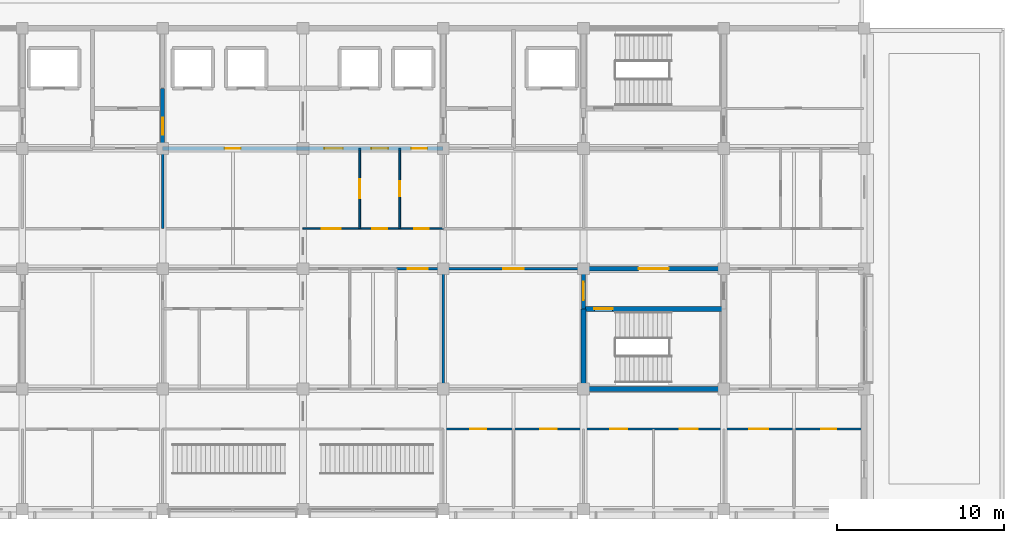
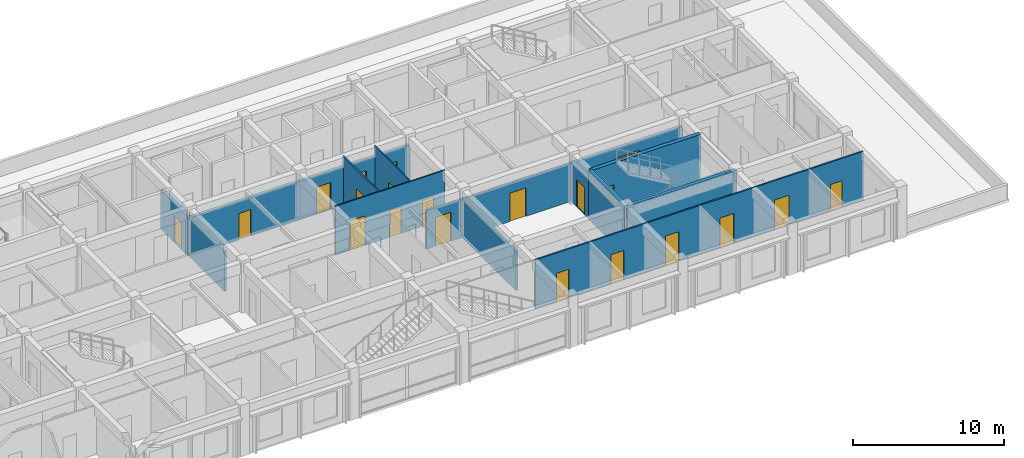
# One storey, part 13 of 19: 21 doors, 14 walls, 21 openings.
"""IFC4 building model written with IfcOpenShell, lengths in metres."""

from ifc_helpers import new_model, si_unit, direction, frame, frame_2d, origin, place, context, subcontext, project, spatial, rectangle, extrude, material, layer, layer_set, type_object, element, fill, save


model = new_model("IFC4")

# Units and contexts
model_context = context("Model", 3, precision=1e-05, world=origin(), true_north=direction((0.0, 1.0)))
body_context = subcontext(model_context, "Body", "Model", "MODEL_VIEW")
ifc_project = project(units=[si_unit("LENGTHUNIT", "METRE"), si_unit("AREAUNIT", "SQUARE_METRE"), si_unit("VOLUMEUNIT", "CUBIC_METRE"), si_unit("PLANEANGLEUNIT", "RADIAN"), si_unit("MASSUNIT", "GRAM", prefix="KILO")], contexts=[model_context])

# Site, building, storey
site_placement = place(None, origin())
site = spatial("IfcSite", under=ifc_project, at=site_placement, CompositionType="ELEMENT")
building_placement = place(site_placement, origin())
building = spatial("IfcBuilding", under=site, at=building_placement, Name="Chengyuan Square Courthouse", CompositionType="ELEMENT")
storey_placement = place(building_placement, frame((0.0, 0.0, 47.699951171875)))
storey = spatial("IfcBuildingStorey", under=building, at=storey_placement, Name="L11", CompositionType="ELEMENT", Elevation=47.699951171875)

# Wall, opening, door
ifc_material_1 = material(Name="Concrete C40", Category="concrete")
ifc_layer_1 = layer(ifc_material_1, 0.25)
ifc_layer_set_1 = layer_set([ifc_layer_1], Name="Concrete C40")
wall_type_1 = type_object("IfcWallType", Name="WL-FW1", PredefinedType="STANDARD", material=ifc_layer_set_1)
wall_1_placement = place(storey_placement, frame((100.800048828125, 93.60009765625, 0.0), z_axis=(0.0, 0.0, 1.0), x_axis=(1.0, 0.0, 0.0)))
wall_1 = element("IfcWall", 1, at=wall_1_placement, inside=storey, type_object=wall_type_1, Name="Interior Wall WL-L11-I3528", PredefinedType="STANDARD", context=body_context, shape_type="SweptSolid", body=[
    extrude(rectangle(XDim=8.39990234375, YDim=0.25, at=frame_2d((4.199951171875, 0.0))), origin(), (0.0, 0.0, 1.0), 3.110107421875),
])
opening_1_placement = place(wall_1_placement, frame((3.300048828125, 0.0, 0.0)))
opening_1 = element("IfcOpeningElement", 2, at=opening_1_placement, cuts=wall_1, Name="Opening DR-2922", PredefinedType="OPENING", context=body_context, shape_type="SweptSolid", body=[
    extrude(rectangle(XDim=1.800048828125, YDim=2.35009765625, at=frame_2d((0.89990234375, 1.175048828125))), frame((0.0, 0.136962890625, 0.0), z_axis=(0.0, -1.0, 0.0), x_axis=(1.0, 0.0, 0.0)), (0.0, 0.0, 1.0), 0.27392578125),
])
ifc_material_2 = material(Name="Steel Q235B Glazed Fire Door", Category="steel")
door_type_1 = type_object("IfcDoorType", Name="DT-18", OperationType="DOUBLE_DOOR_SINGLE_SWING", PredefinedType="DOOR", material=ifc_material_2)
door_1_placement = place(opening_1_placement, frame((1.800048828125, 0.0, 0.0), z_axis=(0.0, 0.0, 1.0), x_axis=(-1.0, 0.0, 0.0)))
door_1 = element("IfcDoor", 3, at=door_1_placement, inside=storey, type_object=door_type_1, Name="Interior Door DR-2922", OperationType="DOUBLE_DOOR_SINGLE_SWING", OverallHeight=2.35009765625, OverallWidth=1.800048828125, PredefinedType="DOOR", context=body_context, shape_type="SweptSolid", body=[
    extrude(rectangle(XDim=1.800048828125, YDim=2.35009765625, at=frame_2d((0.89990234375, 1.175048828125))), frame((0.0, 0.02490234375, 0.0), z_axis=(0.0, -1.0, 0.0), x_axis=(1.0, 0.0, 0.0)), (0.0, 0.0, 1.0), 0.050048828125),
])
fill(opening_1, door_1)

# Wall, openings, doors
wall_2_placement = place(storey_placement, frame((75.60009765625, 100.800048828125, 0.0), z_axis=(0.0, 0.0, 1.0), x_axis=(1.0, 0.0, 0.0)))
wall_2 = element("IfcWall", 4, at=wall_2_placement, inside=storey, type_object=wall_type_1, Name="Interior Wall WL-L11-I3539", PredefinedType="STANDARD", context=body_context, shape_type="SweptSolid", body=[
    extrude(rectangle(XDim=16.7998046875, YDim=0.25, at=frame_2d((8.39990234375, 0.0))), origin(), (0.0, 0.0, 1.0), 3.110107421875),
])
opening_2_placement = place(wall_2_placement, frame((3.72509765625, 0.0, 0.0)))
opening_2 = element("IfcOpeningElement", 5, at=opening_2_placement, cuts=wall_2, Name="Opening DR-2934", PredefinedType="OPENING", context=body_context, shape_type="SweptSolid", body=[
    extrude(rectangle(XDim=0.949951171875, YDim=2.14990234375, at=frame_2d((0.47509765625, 1.074951171875))), frame((0.0, 0.136962890625, 0.0), z_axis=(0.0, -1.0, 0.0), x_axis=(1.0, 0.0, 0.0)), (0.0, 0.0, 1.0), 0.27392578125),
])
opening_3_placement = place(wall_2_placement, frame((9.68505859375, 0.0, 0.0)))
opening_3 = element("IfcOpeningElement", 6, at=opening_3_placement, cuts=wall_2, Name="Opening DR-2935", PredefinedType="OPENING", context=body_context, shape_type="SweptSolid", body=[
    extrude(rectangle(XDim=1.10009765625, YDim=2.199951171875, at=frame_2d((0.550048828125, 1.10009765625))), frame((0.0, 0.136962890625, 0.0), z_axis=(0.0, -1.0, 0.0), x_axis=(1.0, 0.0, 0.0)), (0.0, 0.0, 1.0), 0.27392578125),
])
opening_4_placement = place(wall_2_placement, frame((12.5, 0.0, 0.0)))
opening_4 = element("IfcOpeningElement", 7, at=opening_4_placement, cuts=wall_2, Name="Opening DR-2936", PredefinedType="OPENING", context=body_context, shape_type="SweptSolid", body=[
    extrude(rectangle(XDim=1.0, YDim=2.199951171875, at=frame_2d((0.5, 1.10009765625))), frame((0.0, 0.136962890625, 0.0), z_axis=(0.0, -1.0, 0.0), x_axis=(1.0, 0.0, 0.0)), (0.0, 0.0, 1.0), 0.27392578125),
])
opening_5_placement = place(wall_2_placement, frame((14.889892578125, 0.0, 0.0)))
opening_5 = element("IfcOpeningElement", 8, at=opening_5_placement, cuts=wall_2, Name="Opening DR-2937", PredefinedType="OPENING", context=body_context, shape_type="SweptSolid", body=[
    extrude(rectangle(XDim=0.949951171875, YDim=2.14990234375, at=frame_2d((0.47509765625, 1.074951171875))), frame((0.0, 0.136962890625, 0.0), z_axis=(0.0, -1.0, 0.0), x_axis=(1.0, 0.0, 0.0)), (0.0, 0.0, 1.0), 0.27392578125),
])
ifc_material_3 = material(Name="Steel Q235B Fire Door", Category="steel")
door_type_2 = type_object("IfcDoorType", Name="DT-10", OperationType="NOTDEFINED", PredefinedType="DOOR", material=ifc_material_3)
door_2_placement = place(opening_3_placement, origin())
door_2 = element("IfcDoor", 9, at=door_2_placement, inside=storey, type_object=door_type_2, Name="Interior Door DR-2935", OperationType="SINGLE_SWING_LEFT", OverallHeight=2.199951171875, OverallWidth=1.10009765625, PredefinedType="DOOR", context=body_context, shape_type="SweptSolid", body=[
    extrude(rectangle(XDim=1.10009765625, YDim=2.199951171875, at=frame_2d((0.550048828125, 1.10009765625))), frame((0.0, 0.02490234375, 0.0), z_axis=(0.0, -1.0, 0.0), x_axis=(1.0, 0.0, 0.0)), (0.0, 0.0, 1.0), 0.050048828125),
])
fill(opening_3, door_2)
door_type_3 = type_object("IfcDoorType", Name="DT-11", OperationType="NOTDEFINED", PredefinedType="DOOR", material=ifc_material_3)
door_3_placement = place(opening_4_placement, origin())
door_3 = element("IfcDoor", 10, at=door_3_placement, inside=storey, type_object=door_type_3, Name="Interior Door DR-2936", OperationType="SINGLE_SWING_RIGHT", OverallHeight=2.199951171875, OverallWidth=1.0, PredefinedType="DOOR", context=body_context, shape_type="SweptSolid", body=[
    extrude(rectangle(XDim=1.0, YDim=2.199951171875, at=frame_2d((0.5, 1.10009765625))), frame((0.0, 0.02490234375, 0.0), z_axis=(0.0, -1.0, 0.0), x_axis=(1.0, 0.0, 0.0)), (0.0, 0.0, 1.0), 0.050048828125),
])
fill(opening_4, door_3)
door_type_4 = type_object("IfcDoorType", Name="DT-12", OperationType="NOTDEFINED", PredefinedType="DOOR", material=ifc_material_3)
door_4_placement = place(opening_2_placement, origin())
door_4 = element("IfcDoor", 11, at=door_4_placement, inside=storey, type_object=door_type_4, Name="Interior Door DR-2934", OperationType="SINGLE_SWING_RIGHT", OverallHeight=2.14990234375, OverallWidth=0.949951171875, PredefinedType="DOOR", context=body_context, shape_type="SweptSolid", body=[
    extrude(rectangle(XDim=0.949951171875, YDim=2.14990234375, at=frame_2d((0.47509765625, 1.074951171875))), frame((0.0, 0.02490234375, 0.0), z_axis=(0.0, -1.0, 0.0), x_axis=(1.0, 0.0, 0.0)), (0.0, 0.0, 1.0), 0.050048828125),
])
fill(opening_2, door_4)
door_5_placement = place(opening_5_placement, origin())
door_5 = element("IfcDoor", 12, at=door_5_placement, inside=storey, type_object=door_type_4, Name="Interior Door DR-2937", OperationType="SINGLE_SWING_LEFT", OverallHeight=2.14990234375, OverallWidth=0.949951171875, PredefinedType="DOOR", context=body_context, shape_type="SweptSolid", body=[
    extrude(rectangle(XDim=0.949951171875, YDim=2.14990234375, at=frame_2d((0.47509765625, 1.074951171875))), frame((0.0, 0.02490234375, 0.0), z_axis=(0.0, -1.0, 0.0), x_axis=(1.0, 0.0, 0.0)), (0.0, 0.0, 1.0), 0.050048828125),
])
fill(opening_5, door_5)

# Wall, opening, door
wall_3_placement = place(storey_placement, frame((75.60009765625, 100.800048828125, 0.0), z_axis=(0.0, 0.0, 1.0), x_axis=(0.0, 1.0, 0.0)))
wall_3 = element("IfcWall", 13, at=wall_3_placement, inside=storey, type_object=wall_type_1, Name="Interior Wall WL-L11-I3591", PredefinedType="STANDARD", context=body_context, shape_type="SweptSolid", body=[
    extrude(rectangle(XDim=3.599853515625, YDim=0.25, at=frame_2d((1.7998046875, 0.0))), origin(), (0.0, 0.0, 1.0), 3.2099609375),
])
opening_6_placement = place(wall_3_placement, frame((0.8349609375, 0.0, 0.0)))
opening_6 = element("IfcOpeningElement", 14, at=opening_6_placement, cuts=wall_3, Name="Opening DR-2927", PredefinedType="OPENING", context=body_context, shape_type="SweptSolid", body=[
    extrude(rectangle(XDim=1.0, YDim=2.199951171875, at=frame_2d((0.5, 1.10009765625))), frame((0.0, 0.136962890625, 0.0), z_axis=(0.0, -1.0, 0.0), x_axis=(1.0, 0.0, 0.0)), (0.0, 0.0, 1.0), 0.27392578125),
])
door_6_placement = place(opening_6_placement, origin())
door_6 = element("IfcDoor", 15, at=door_6_placement, inside=storey, type_object=door_type_3, Name="Interior Door DR-2927", OperationType="SINGLE_SWING_RIGHT", OverallHeight=2.199951171875, OverallWidth=1.0, PredefinedType="DOOR", context=body_context, shape_type="SweptSolid", body=[
    extrude(rectangle(XDim=1.0, YDim=2.199951171875, at=frame_2d((0.5, 1.10009765625))), frame((0.0, 0.02490234375, 0.0), z_axis=(0.0, -1.0, 0.0), x_axis=(1.0, 0.0, 0.0)), (0.0, 0.0, 1.0), 0.050048828125),
])
fill(opening_6, door_6)

wall_4_placement = place(storey_placement, frame((100.800048828125, 91.199951171875, 0.0), z_axis=(0.0, 0.0, 1.0), x_axis=(0.0, 1.0, 0.0)))
wall_4 = element("IfcWall", 16, at=wall_4_placement, inside=storey, type_object=wall_type_1, Name="Interior Wall WL-L11-I3620", PredefinedType="STANDARD", context=body_context, shape_type="SweptSolid", body=[
    extrude(rectangle(XDim=2.400146484375, YDim=0.25, at=frame_2d((1.2001953125, 0.0))), origin(), (0.0, 0.0, 1.0), 3.2099609375),
])
opening_7_placement = place(wall_4_placement, frame((0.514892578125, 0.0, 0.0)))
opening_7 = element("IfcOpeningElement", 17, at=opening_7_placement, cuts=wall_4, Name="Opening DR-2923", PredefinedType="OPENING", context=body_context, shape_type="SweptSolid", body=[
    extrude(rectangle(XDim=1.10009765625, YDim=2.199951171875, at=frame_2d((0.550048828125, 1.10009765625))), frame((0.0, 0.136962890625, 0.0), z_axis=(0.0, -1.0, 0.0), x_axis=(1.0, 0.0, 0.0)), (0.0, 0.0, 1.0), 0.27392578125),
])
door_7_placement = place(opening_7_placement, origin())
door_7 = element("IfcDoor", 18, at=door_7_placement, inside=storey, type_object=door_type_2, Name="Interior Door DR-2923", OperationType="SINGLE_SWING_RIGHT", OverallHeight=2.199951171875, OverallWidth=1.10009765625, PredefinedType="DOOR", context=body_context, shape_type="SweptSolid", body=[
    extrude(rectangle(XDim=1.10009765625, YDim=2.199951171875, at=frame_2d((0.550048828125, 1.10009765625))), frame((0.0, 0.02490234375, 0.0), z_axis=(0.0, -1.0, 0.0), x_axis=(1.0, 0.0, 0.0)), (0.0, 0.0, 1.0), 0.050048828125),
])
fill(opening_7, door_7)

# Wall, openings, doors
ifc_material_4 = material(Name="Deliberation Room Sound-Insulated Partition")
ifc_layer_2 = layer(ifc_material_4, 0.14990234375)
ifc_layer_set_2 = layer_set([ifc_layer_2], Name="Deliberation Room Sound-Insulated Partition")
wall_type_2 = type_object("IfcWallType", Name="WL-PT3", PredefinedType="STANDARD", material=ifc_layer_set_2)
wall_5_placement = place(storey_placement, frame((89.60009765625, 93.60009765625, 0.0), z_axis=(0.0, 0.0, 1.0), x_axis=(1.0, 0.0, 0.0)))
wall_5 = element("IfcWall", 19, at=wall_5_placement, inside=storey, type_object=wall_type_2, Name="Interior Wall WL-L11-I3527", PredefinedType="STANDARD", context=body_context, shape_type="SweptSolid", body=[
    extrude(rectangle(XDim=11.199951171875, YDim=0.14990234375, at=frame_2d((5.60009765625, 0.0))), origin(), (0.0, 0.0, 1.0), 3.110107421875),
])
opening_8_placement = place(wall_5_placement, frame((0.6650390625, 0.0, 0.0)))
opening_8 = element("IfcOpeningElement", 20, at=opening_8_placement, cuts=wall_5, Name="Opening DR-2973", PredefinedType="OPENING", context=body_context, shape_type="SweptSolid", body=[
    extrude(rectangle(XDim=1.199951171875, YDim=2.35009765625, at=frame_2d((0.60009765625, 1.175048828125))), frame((0.0, 0.0869140625, 0.0), z_axis=(0.0, -1.0, 0.0), x_axis=(1.0, 0.0, 0.0)), (0.0, 0.0, 1.0), 0.173828125),
])
opening_9_placement = place(wall_5_placement, frame((6.3798828125, 0.0, 0.0)))
opening_9 = element("IfcOpeningElement", 21, at=opening_9_placement, cuts=wall_5, Name="Opening DR-2974", PredefinedType="OPENING", context=body_context, shape_type="SweptSolid", body=[
    extrude(rectangle(XDim=1.239990234375, YDim=2.300048828125, at=frame_2d((0.6201171875, 1.14990234375))), frame((0.0, 0.0869140625, 0.0), z_axis=(0.0, -1.0, 0.0), x_axis=(1.0, 0.0, 0.0)), (0.0, 0.0, 1.0), 0.173828125),
])
ifc_material_5 = material(Name="Acoustic Solid-Core Timber Door", Category="wood")
door_type_5 = type_object("IfcDoorType", Name="DT-36", OperationType="NOTDEFINED", PredefinedType="DOOR", material=ifc_material_5)
door_8_placement = place(opening_8_placement, origin())
door_8 = element("IfcDoor", 22, at=door_8_placement, inside=storey, type_object=door_type_5, Name="Interior Door DR-2973", OperationType="SINGLE_SWING_RIGHT", OverallHeight=2.35009765625, OverallWidth=1.199951171875, PredefinedType="DOOR", context=body_context, shape_type="SweptSolid", body=[
    extrude(rectangle(XDim=1.199951171875, YDim=2.35009765625, at=frame_2d((0.60009765625, 1.175048828125))), frame((0.0, 0.02490234375, 0.0), z_axis=(0.0, -1.0, 0.0), x_axis=(1.0, 0.0, 0.0)), (0.0, 0.0, 1.0), 0.050048828125),
])
fill(opening_8, door_8)
door_type_6 = type_object("IfcDoorType", Name="DT-37", OperationType="NOTDEFINED", PredefinedType="DOOR", material=ifc_material_5)
door_9_placement = place(opening_9_placement, origin())
door_9 = element("IfcDoor", 23, at=door_9_placement, inside=storey, type_object=door_type_6, Name="Interior Door DR-2974", OperationType="SINGLE_SWING_LEFT", OverallHeight=2.300048828125, OverallWidth=1.239990234375, PredefinedType="DOOR", context=body_context, shape_type="SweptSolid", body=[
    extrude(rectangle(XDim=1.239990234375, YDim=2.300048828125, at=frame_2d((0.6201171875, 1.14990234375))), frame((0.0, 0.02490234375, 0.0), z_axis=(0.0, -1.0, 0.0), x_axis=(1.0, 0.0, 0.0)), (0.0, 0.0, 1.0), 0.050048828125),
])
fill(opening_9, door_9)

# Walls
wall_6_placement = place(storey_placement, frame((75.60009765625, 96.0, 0.0), z_axis=(0.0, 0.0, 1.0), x_axis=(0.0, 1.0, 0.0)))
element("IfcWall", 24, at=wall_6_placement, inside=storey, type_object=wall_type_2, Name="Interior Wall WL-L11-I3590", PredefinedType="STANDARD", context=body_context, shape_type="SweptSolid", body=[
    extrude(rectangle(XDim=4.800048828125, YDim=0.14990234375, at=frame_2d((2.39990234375, 0.0))), origin(), (0.0, 0.0, 1.0), 3.2099609375),
])
wall_7_placement = place(storey_placement, frame((92.39990234375, 86.39990234375, 0.0), z_axis=(0.0, 0.0, 1.0), x_axis=(0.0, 1.0, 0.0)))
element("IfcWall", 25, at=wall_7_placement, inside=storey, type_object=wall_type_2, Name="Interior Wall WL-L11-I3609", PredefinedType="STANDARD", context=body_context, shape_type="SweptSolid", body=[
    extrude(rectangle(XDim=7.2001953125, YDim=0.14990234375, at=frame_2d((3.60009765625, 0.0))), origin(), (0.0, 0.0, 1.0), 3.2099609375),
])

# Wall, openings, doors
ifc_material_6 = material(Name="Judges Chambers Gypsum Stud Partition")
ifc_layer_3 = layer(ifc_material_6, 0.1201171875)
ifc_layer_set_3 = layer_set([ifc_layer_3], Name="Judges Chambers Gypsum Stud Partition")
wall_type_3 = type_object("IfcWallType", Name="WL-PT5", PredefinedType="STANDARD", material=ifc_layer_set_3)
wall_8_placement = place(storey_placement, frame((92.39990234375, 84.0, 0.0), z_axis=(0.0, 0.0, 1.0), x_axis=(1.0, 0.0, 0.0)))
wall_8 = element("IfcWall", 26, at=wall_8_placement, inside=storey, type_object=wall_type_3, Name="Interior Wall WL-L11-I3508", PredefinedType="STANDARD", context=body_context, shape_type="SweptSolid", body=[
    extrude(rectangle(XDim=25.16015625, YDim=0.1201171875, at=frame_2d((12.580078125, 0.0))), origin(), (0.0, 0.0, 1.0), 3.9599609375),
])
opening_10_placement = place(wall_8_placement, frame((1.6298828125, 0.0, 0.0)))
opening_10 = element("IfcOpeningElement", 27, at=opening_10_placement, cuts=wall_8, Name="Opening DR-3010", PredefinedType="OPENING", context=body_context, shape_type="SweptSolid", body=[
    extrude(rectangle(XDim=0.93994140625, YDim=2.300048828125, at=frame_2d((0.469970703125, 1.14990234375))), frame((0.0, 0.072021484375, 0.0), z_axis=(0.0, -1.0, 0.0), x_axis=(1.0, 0.0, 0.0)), (0.0, 0.0, 1.0), 0.14404296875),
])
opening_11_placement = place(wall_8_placement, frame((5.81005859375, 0.0, 0.0)))
opening_11 = element("IfcOpeningElement", 28, at=opening_11_placement, cuts=wall_8, Name="Opening DR-3011", PredefinedType="OPENING", context=body_context, shape_type="SweptSolid", body=[
    extrude(rectangle(XDim=0.97998046875, YDim=2.35009765625, at=frame_2d((0.489990234375, 1.175048828125))), frame((0.0, 0.072021484375, 0.0), z_axis=(0.0, -1.0, 0.0), x_axis=(1.0, 0.0, 0.0)), (0.0, 0.0, 1.0), 0.14404296875),
])
opening_12_placement = place(wall_8_placement, frame((9.989990234375, 0.0, 0.0)))
opening_12 = element("IfcOpeningElement", 29, at=opening_12_placement, cuts=wall_8, Name="Opening DR-3012", PredefinedType="OPENING", context=body_context, shape_type="SweptSolid", body=[
    extrude(rectangle(XDim=1.02001953125, YDim=2.39990234375, at=frame_2d((0.510009765625, 1.199951171875))), frame((0.0, 0.072021484375, 0.0), z_axis=(0.0, -1.0, 0.0), x_axis=(1.0, 0.0, 0.0)), (0.0, 0.0, 1.0), 0.14404296875),
])
opening_13_placement = place(wall_8_placement, frame((14.169921875, 0.0, 0.0)))
opening_13 = element("IfcOpeningElement", 30, at=opening_13_placement, cuts=wall_8, Name="Opening DR-3013", PredefinedType="OPENING", context=body_context, shape_type="SweptSolid", body=[
    extrude(rectangle(XDim=1.06005859375, YDim=2.39990234375, at=frame_2d((0.530029296875, 1.199951171875))), frame((0.0, 0.072021484375, 0.0), z_axis=(0.0, -1.0, 0.0), x_axis=(1.0, 0.0, 0.0)), (0.0, 0.0, 1.0), 0.14404296875),
])
opening_14_placement = place(wall_8_placement, frame((18.330078125, 0.0, 0.0)))
opening_14 = element("IfcOpeningElement", 31, at=opening_14_placement, cuts=wall_8, Name="Opening DR-3014", PredefinedType="OPENING", context=body_context, shape_type="SweptSolid", body=[
    extrude(rectangle(XDim=1.139892578125, YDim=2.39990234375, at=frame_2d((0.56982421875, 1.199951171875))), frame((0.0, 0.072021484375, 0.0), z_axis=(0.0, -1.0, 0.0), x_axis=(1.0, 0.0, 0.0)), (0.0, 0.0, 1.0), 0.14404296875),
])
opening_15_placement = place(wall_8_placement, frame((22.6298828125, 0.0, 0.0)))
opening_15 = element("IfcOpeningElement", 32, at=opening_15_placement, cuts=wall_8, Name="Opening DR-3015", PredefinedType="OPENING", context=body_context, shape_type="SweptSolid", body=[
    extrude(rectangle(XDim=0.89990234375, YDim=2.14990234375, at=frame_2d((0.449951171875, 1.074951171875))), frame((0.0, 0.072021484375, 0.0), z_axis=(0.0, -1.0, 0.0), x_axis=(1.0, 0.0, 0.0)), (0.0, 0.0, 1.0), 0.14404296875),
])
door_type_7 = type_object("IfcDoorType", Name="DT-27", OperationType="NOTDEFINED", PredefinedType="DOOR", material=ifc_material_5)
door_10_placement = place(opening_15_placement, origin())
door_10 = element("IfcDoor", 33, at=door_10_placement, inside=storey, type_object=door_type_7, Name="Interior Door DR-3015", OperationType="SINGLE_SWING_RIGHT", OverallHeight=2.14990234375, OverallWidth=0.89990234375, PredefinedType="DOOR", context=body_context, shape_type="SweptSolid", body=[
    extrude(rectangle(XDim=0.89990234375, YDim=2.14990234375, at=frame_2d((0.449951171875, 1.074951171875))), frame((0.0, 0.02490234375, 0.0), z_axis=(0.0, -1.0, 0.0), x_axis=(1.0, 0.0, 0.0)), (0.0, 0.0, 1.0), 0.050048828125),
])
fill(opening_15, door_10)
door_type_8 = type_object("IfcDoorType", Name="DT-39", OperationType="NOTDEFINED", PredefinedType="DOOR", material=ifc_material_5)
door_11_placement = place(opening_10_placement, origin())
door_11 = element("IfcDoor", 34, at=door_11_placement, inside=storey, type_object=door_type_8, Name="Interior Door DR-3010", OperationType="SINGLE_SWING_LEFT", OverallHeight=2.300048828125, OverallWidth=0.93994140625, PredefinedType="DOOR", context=body_context, shape_type="SweptSolid", body=[
    extrude(rectangle(XDim=0.93994140625, YDim=2.300048828125, at=frame_2d((0.469970703125, 1.14990234375))), frame((0.0, 0.02490234375, 0.0), z_axis=(0.0, -1.0, 0.0), x_axis=(1.0, 0.0, 0.0)), (0.0, 0.0, 1.0), 0.050048828125),
])
fill(opening_10, door_11)
door_type_9 = type_object("IfcDoorType", Name="DT-40", OperationType="NOTDEFINED", PredefinedType="DOOR", material=ifc_material_5)
door_12_placement = place(opening_11_placement, origin())
door_12 = element("IfcDoor", 35, at=door_12_placement, inside=storey, type_object=door_type_9, Name="Interior Door DR-3011", OperationType="SINGLE_SWING_RIGHT", OverallHeight=2.35009765625, OverallWidth=0.97998046875, PredefinedType="DOOR", context=body_context, shape_type="SweptSolid", body=[
    extrude(rectangle(XDim=0.97998046875, YDim=2.35009765625, at=frame_2d((0.489990234375, 1.175048828125))), frame((0.0, 0.02490234375, 0.0), z_axis=(0.0, -1.0, 0.0), x_axis=(1.0, 0.0, 0.0)), (0.0, 0.0, 1.0), 0.050048828125),
])
fill(opening_11, door_12)
door_type_10 = type_object("IfcDoorType", Name="DT-41", OperationType="NOTDEFINED", PredefinedType="DOOR", material=ifc_material_5)
door_13_placement = place(opening_12_placement, origin())
door_13 = element("IfcDoor", 36, at=door_13_placement, inside=storey, type_object=door_type_10, Name="Interior Door DR-3012", OperationType="SINGLE_SWING_LEFT", OverallHeight=2.39990234375, OverallWidth=1.02001953125, PredefinedType="DOOR", context=body_context, shape_type="SweptSolid", body=[
    extrude(rectangle(XDim=1.02001953125, YDim=2.39990234375, at=frame_2d((0.510009765625, 1.199951171875))), frame((0.0, 0.02490234375, 0.0), z_axis=(0.0, -1.0, 0.0), x_axis=(1.0, 0.0, 0.0)), (0.0, 0.0, 1.0), 0.050048828125),
])
fill(opening_12, door_13)
door_type_11 = type_object("IfcDoorType", Name="DT-42", OperationType="NOTDEFINED", PredefinedType="DOOR", material=ifc_material_5)
door_14_placement = place(opening_13_placement, origin())
door_14 = element("IfcDoor", 37, at=door_14_placement, inside=storey, type_object=door_type_11, Name="Interior Door DR-3013", OperationType="SINGLE_SWING_RIGHT", OverallHeight=2.39990234375, OverallWidth=1.06005859375, PredefinedType="DOOR", context=body_context, shape_type="SweptSolid", body=[
    extrude(rectangle(XDim=1.06005859375, YDim=2.39990234375, at=frame_2d((0.530029296875, 1.199951171875))), frame((0.0, 0.02490234375, 0.0), z_axis=(0.0, -1.0, 0.0), x_axis=(1.0, 0.0, 0.0)), (0.0, 0.0, 1.0), 0.050048828125),
])
fill(opening_13, door_14)
door_type_12 = type_object("IfcDoorType", Name="DT-43", OperationType="NOTDEFINED", PredefinedType="DOOR", material=ifc_material_5)
door_15_placement = place(opening_14_placement, origin())
door_15 = element("IfcDoor", 38, at=door_15_placement, inside=storey, type_object=door_type_12, Name="Interior Door DR-3014", OperationType="SINGLE_SWING_LEFT", OverallHeight=2.39990234375, OverallWidth=1.139892578125, PredefinedType="DOOR", context=body_context, shape_type="SweptSolid", body=[
    extrude(rectangle(XDim=1.139892578125, YDim=2.39990234375, at=frame_2d((0.56982421875, 1.199951171875))), frame((0.0, 0.02490234375, 0.0), z_axis=(0.0, -1.0, 0.0), x_axis=(1.0, 0.0, 0.0)), (0.0, 0.0, 1.0), 0.050048828125),
])
fill(opening_14, door_15)

ifc_material_7 = material(Name="Gypsum Plasterboard Acoustic Stud Partition")
ifc_layer_4 = layer(ifc_material_7, 0.10009765625)
ifc_layer_set_4 = layer_set([ifc_layer_4], Name="Gypsum Plasterboard Acoustic Stud Partition")
wall_type_4 = type_object("IfcWallType", Name="WL-PT6", PredefinedType="STANDARD", material=ifc_layer_set_4)
wall_9_placement = place(storey_placement, frame((84.0, 96.0, 0.0), z_axis=(0.0, 0.0, 1.0), x_axis=(1.0, 0.0, 0.0)))
wall_9 = element("IfcWall", 39, at=wall_9_placement, inside=storey, type_object=wall_type_4, Name="Interior Wall WL-L11-I3533", PredefinedType="STANDARD", context=body_context, shape_type="SweptSolid", body=[
    extrude(rectangle(XDim=8.39990234375, YDim=0.10009765625, at=frame_2d((4.199951171875, 0.0))), origin(), (0.0, 0.0, 1.0), 3.9599609375),
])
opening_16_placement = place(wall_9_placement, frame((1.1298828125, 0.0, 0.0)))
opening_16 = element("IfcOpeningElement", 40, at=opening_16_placement, cuts=wall_9, Name="Opening DR-2963", PredefinedType="OPENING", context=body_context, shape_type="SweptSolid", body=[
    extrude(rectangle(XDim=1.139892578125, YDim=2.39990234375, at=frame_2d((0.56982421875, 1.199951171875))), frame((0.0, 0.06201171875, 0.0), z_axis=(0.0, -1.0, 0.0), x_axis=(1.0, 0.0, 0.0)), (0.0, 0.0, 1.0), 0.1240234375),
])
opening_17_placement = place(wall_9_placement, frame((4.14990234375, 0.0, 0.0)))
opening_17 = element("IfcOpeningElement", 41, at=opening_17_placement, cuts=wall_9, Name="Opening DR-2964", PredefinedType="OPENING", context=body_context, shape_type="SweptSolid", body=[
    extrude(rectangle(XDim=0.89990234375, YDim=2.14990234375, at=frame_2d((0.449951171875, 1.074951171875))), frame((0.0, 0.06201171875, 0.0), z_axis=(0.0, -1.0, 0.0), x_axis=(1.0, 0.0, 0.0)), (0.0, 0.0, 1.0), 0.1240234375),
])
opening_18_placement = place(wall_9_placement, frame((6.669921875, 0.0, 0.0)))
opening_18 = element("IfcOpeningElement", 42, at=opening_18_placement, cuts=wall_9, Name="Opening DR-2965", PredefinedType="OPENING", context=body_context, shape_type="SweptSolid", body=[
    extrude(rectangle(XDim=0.860107421875, YDim=2.10009765625, at=frame_2d((0.43017578125, 1.050048828125))), frame((0.0, 0.06201171875, 0.0), z_axis=(0.0, -1.0, 0.0), x_axis=(1.0, 0.0, 0.0)), (0.0, 0.0, 1.0), 0.1240234375),
])
door_16_placement = place(opening_17_placement, origin())
door_16 = element("IfcDoor", 43, at=door_16_placement, inside=storey, type_object=door_type_7, Name="Interior Door DR-2964", OperationType="SINGLE_SWING_LEFT", OverallHeight=2.14990234375, OverallWidth=0.89990234375, PredefinedType="DOOR", context=body_context, shape_type="SweptSolid", body=[
    extrude(rectangle(XDim=0.89990234375, YDim=2.14990234375, at=frame_2d((0.449951171875, 1.074951171875))), frame((0.0, 0.02490234375, 0.0), z_axis=(0.0, -1.0, 0.0), x_axis=(1.0, 0.0, 0.0)), (0.0, 0.0, 1.0), 0.050048828125),
])
fill(opening_17, door_16)
door_type_13 = type_object("IfcDoorType", Name="DT-28", OperationType="NOTDEFINED", PredefinedType="DOOR", material=ifc_material_5)
door_17_placement = place(opening_18_placement, origin())
door_17 = element("IfcDoor", 44, at=door_17_placement, inside=storey, type_object=door_type_13, Name="Interior Door DR-2965", OperationType="SINGLE_SWING_RIGHT", OverallHeight=2.10009765625, OverallWidth=0.860107421875, PredefinedType="DOOR", context=body_context, shape_type="SweptSolid", body=[
    extrude(rectangle(XDim=0.860107421875, YDim=2.10009765625, at=frame_2d((0.43017578125, 1.050048828125))), frame((0.0, 0.02490234375, 0.0), z_axis=(0.0, -1.0, 0.0), x_axis=(1.0, 0.0, 0.0)), (0.0, 0.0, 1.0), 0.050048828125),
])
fill(opening_18, door_17)
door_18_placement = place(opening_16_placement, origin())
door_18 = element("IfcDoor", 45, at=door_18_placement, inside=storey, type_object=door_type_12, Name="Interior Door DR-2963", OperationType="SINGLE_SWING_RIGHT", OverallHeight=2.39990234375, OverallWidth=1.139892578125, PredefinedType="DOOR", context=body_context, shape_type="SweptSolid", body=[
    extrude(rectangle(XDim=1.139892578125, YDim=2.39990234375, at=frame_2d((0.56982421875, 1.199951171875))), frame((0.0, 0.02490234375, 0.0), z_axis=(0.0, -1.0, 0.0), x_axis=(1.0, 0.0, 0.0)), (0.0, 0.0, 1.0), 0.050048828125),
])
fill(opening_16, door_18)

# Wall, opening, door
wall_10_placement = place(storey_placement, frame((87.39990234375, 96.0, 0.0), z_axis=(0.0, 0.0, 1.0), x_axis=(0.0, 1.0, 0.0)))
wall_10 = element("IfcWall", 46, at=wall_10_placement, inside=storey, type_object=wall_type_4, Name="Interior Wall WL-L11-I3602", PredefinedType="STANDARD", context=body_context, shape_type="SweptSolid", body=[
    extrude(rectangle(XDim=4.800048828125, YDim=0.10009765625, at=frame_2d((2.39990234375, 0.0))), origin(), (0.0, 0.0, 1.0), 3.9599609375),
])
opening_19_placement = place(wall_10_placement, frame((1.830078125, 0.0, 0.0)))
opening_19 = element("IfcOpeningElement", 47, at=opening_19_placement, cuts=wall_10, Name="Opening DR-2980", PredefinedType="OPENING", context=body_context, shape_type="SweptSolid", body=[
    extrude(rectangle(XDim=1.139892578125, YDim=2.39990234375, at=frame_2d((0.56982421875, 1.199951171875))), frame((0.0, 0.06201171875, 0.0), z_axis=(0.0, -1.0, 0.0), x_axis=(1.0, 0.0, 0.0)), (0.0, 0.0, 1.0), 0.1240234375),
])
door_19_placement = place(opening_19_placement, origin())
door_19 = element("IfcDoor", 48, at=door_19_placement, inside=storey, type_object=door_type_12, Name="Interior Door DR-2980", OperationType="SINGLE_SWING_LEFT", OverallHeight=2.39990234375, OverallWidth=1.139892578125, PredefinedType="DOOR", context=body_context, shape_type="SweptSolid", body=[
    extrude(rectangle(XDim=1.139892578125, YDim=2.39990234375, at=frame_2d((0.56982421875, 1.199951171875))), frame((0.0, 0.02490234375, 0.0), z_axis=(0.0, -1.0, 0.0), x_axis=(1.0, 0.0, 0.0)), (0.0, 0.0, 1.0), 0.050048828125),
])
fill(opening_19, door_19)

wall_11_placement = place(storey_placement, frame((89.800048828125, 96.0, 0.0), z_axis=(0.0, 0.0, 1.0), x_axis=(0.0, 1.0, 0.0)))
wall_11 = element("IfcWall", 49, at=wall_11_placement, inside=storey, type_object=wall_type_4, Name="Interior Wall WL-L11-I3606", PredefinedType="STANDARD", context=body_context, shape_type="SweptSolid", body=[
    extrude(rectangle(XDim=4.800048828125, YDim=0.10009765625, at=frame_2d((2.39990234375, 0.0))), origin(), (0.0, 0.0, 1.0), 3.9599609375),
])
opening_20_placement = place(wall_11_placement, frame((1.949951171875, 0.0, 0.0)))
opening_20 = element("IfcOpeningElement", 50, at=opening_20_placement, cuts=wall_11, Name="Opening DR-2981", PredefinedType="OPENING", context=body_context, shape_type="SweptSolid", body=[
    extrude(rectangle(XDim=0.89990234375, YDim=2.14990234375, at=frame_2d((0.449951171875, 1.074951171875))), frame((0.0, 0.06201171875, 0.0), z_axis=(0.0, -1.0, 0.0), x_axis=(1.0, 0.0, 0.0)), (0.0, 0.0, 1.0), 0.1240234375),
])
door_20_placement = place(opening_20_placement, origin())
door_20 = element("IfcDoor", 51, at=door_20_placement, inside=storey, type_object=door_type_7, Name="Interior Door DR-2981", OperationType="SINGLE_SWING_RIGHT", OverallHeight=2.14990234375, OverallWidth=0.89990234375, PredefinedType="DOOR", context=body_context, shape_type="SweptSolid", body=[
    extrude(rectangle(XDim=0.89990234375, YDim=2.14990234375, at=frame_2d((0.449951171875, 1.074951171875))), frame((0.0, 0.02490234375, 0.0), z_axis=(0.0, -1.0, 0.0), x_axis=(1.0, 0.0, 0.0)), (0.0, 0.0, 1.0), 0.050048828125),
])
fill(opening_20, door_20)

# Wall
ifc_layer_5 = layer(ifc_material_1, 0.300048828125)
ifc_layer_set_5 = layer_set([ifc_layer_5], Name="Concrete C40")
wall_type_5 = type_object("IfcWallType", Name="WL-SW2", PredefinedType="SHEAR", material=ifc_layer_set_5)
wall_12_placement = place(storey_placement, frame((100.800048828125, 86.39990234375, 0.0), z_axis=(0.0, 0.0, 1.0), x_axis=(1.0, 0.0, 0.0)))
element("IfcWall", 52, at=wall_12_placement, inside=storey, type_object=wall_type_5, Name="Interior Wall WL-L11-I3516", PredefinedType="SHEAR", context=body_context, shape_type="SweptSolid", body=[
    extrude(rectangle(XDim=8.39990234375, YDim=0.300048828125, at=frame_2d((4.199951171875, 0.0))), origin(), (0.0, 0.0, 1.0), 3.9599609375),
])

# Wall, opening, door
wall_13_placement = place(storey_placement, frame((100.800048828125, 91.199951171875, 0.0), z_axis=(0.0, 0.0, 1.0), x_axis=(1.0, 0.0, 0.0)))
wall_13 = element("IfcWall", 53, at=wall_13_placement, inside=storey, type_object=wall_type_5, Name="Interior Wall WL-L11-I3521", PredefinedType="SHEAR", context=body_context, shape_type="SweptSolid", body=[
    extrude(rectangle(XDim=8.39990234375, YDim=0.300048828125, at=frame_2d((4.199951171875, 0.0))), origin(), (0.0, 0.0, 1.0), 3.9599609375),
])
opening_21_placement = place(wall_13_placement, frame((0.64990234375, 0.0, 0.0)))
opening_21 = element("IfcOpeningElement", 54, at=opening_21_placement, cuts=wall_13, Name="Opening DR-2912", PredefinedType="OPENING", context=body_context, shape_type="SweptSolid", body=[
    extrude(rectangle(XDim=1.10009765625, YDim=2.199951171875, at=frame_2d((0.550048828125, 1.10009765625))), frame((0.0, 0.162109375, 0.0), z_axis=(0.0, -1.0, 0.0), x_axis=(1.0, 0.0, 0.0)), (0.0, 0.0, 1.0), 0.323974609375),
])
door_21_placement = place(opening_21_placement, frame((1.10009765625, 0.0, 0.0), z_axis=(0.0, 0.0, 1.0), x_axis=(-1.0, 0.0, 0.0)))
door_21 = element("IfcDoor", 55, at=door_21_placement, inside=storey, type_object=door_type_2, Name="Smoke-Proof Stairwell Fire Door ST-4 DR-2912", OperationType="SINGLE_SWING_LEFT", OverallHeight=2.199951171875, OverallWidth=1.10009765625, PredefinedType="DOOR", context=body_context, shape_type="SweptSolid", body=[
    extrude(rectangle(XDim=1.10009765625, YDim=2.199951171875, at=frame_2d((0.550048828125, 1.10009765625))), frame((0.0, 0.02490234375, 0.0), z_axis=(0.0, -1.0, 0.0), x_axis=(1.0, 0.0, 0.0)), (0.0, 0.0, 1.0), 0.050048828125),
])
fill(opening_21, door_21)

# Wall
wall_14_placement = place(storey_placement, frame((100.800048828125, 86.39990234375, 0.0), z_axis=(0.0, 0.0, 1.0), x_axis=(0.0, 1.0, 0.0)))
element("IfcWall", 56, at=wall_14_placement, inside=storey, type_object=wall_type_5, Name="Interior Wall WL-L11-I3619", PredefinedType="SHEAR", context=body_context, shape_type="SweptSolid", body=[
    extrude(rectangle(XDim=4.800048828125, YDim=0.300048828125, at=frame_2d((2.39990234375, 0.0))), origin(), (0.0, 0.0, 1.0), 3.9599609375),
])

save(model, "model.ifc")
